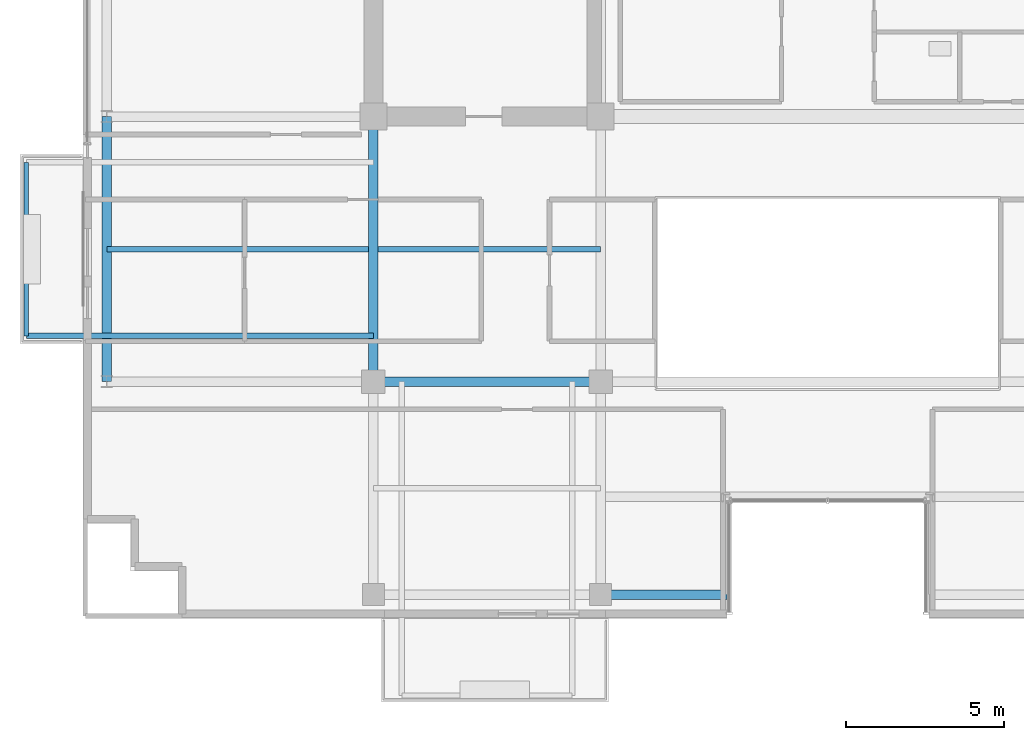
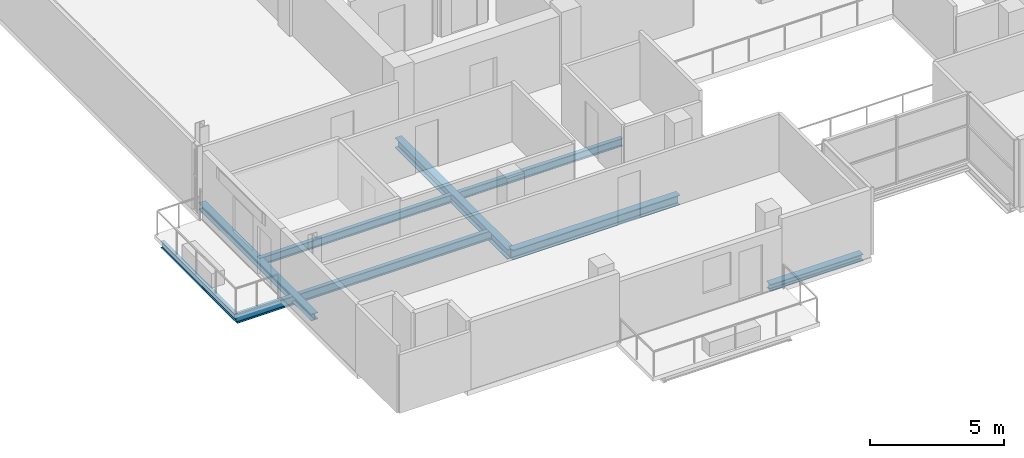
# One storey, part 2 of 22: 8 beams.
"""IFC4 building model written with IfcOpenShell, lengths in metres."""

from ifc_helpers import new_model, si_unit, direction, frame, origin, origin_2d, place, context, subcontext, project, spatial, i_section, extrude, material, material_profile, profile_set, type_object, element, save


model = new_model("IFC4")

# Units and contexts
model_context = context("Model", 3, precision=1e-05, world=origin(), true_north=direction((0.0, 1.0)))
body_context = subcontext(model_context, "Body", "Model", "MODEL_VIEW")
ifc_project = project(units=[si_unit("LENGTHUNIT", "METRE"), si_unit("AREAUNIT", "SQUARE_METRE"), si_unit("VOLUMEUNIT", "CUBIC_METRE"), si_unit("PLANEANGLEUNIT", "RADIAN"), si_unit("MASSUNIT", "GRAM", prefix="KILO")], contexts=[model_context])

# Site, building, storey
site_placement = place(None, origin())
site = spatial("IfcSite", under=ifc_project, at=site_placement, CompositionType="ELEMENT")
building_placement = place(site_placement, origin())
building = spatial("IfcBuilding", under=site, at=building_placement, Name="Zarnakvel Exchange Tower", CompositionType="ELEMENT")
storey_placement = place(building_placement, frame((0.0, 0.0, 215.5)))
storey = spatial("IfcBuildingStorey", under=building, at=storey_placement, Name="L60", CompositionType="ELEMENT", Elevation=215.5)

# Beams
ifc_material = material(Name="Steel S355", Category="steel")
ifc_material_profile_1 = material_profile(ifc_material, i_section(OverallWidth=0.179931640625, OverallDepth=0.39990234375, WebThickness=0.008544921875, FlangeThickness=0.013427734375, FilletRadius=0.02099609375, at=origin_2d()))
ifc_profile_set_1 = profile_set([ifc_material_profile_1], Name="Steel S355")
beam_type_1 = type_object("IfcBeamType", Name="B-06", PredefinedType="JOIST", material=ifc_profile_set_1)
beam_1_placement = place(storey_placement, frame((-14.39990234375, -8.14990234375, -0.425048828125), z_axis=(-1.0, 0.0, 0.0), x_axis=(0.0, -1.0, 0.0)))
element("IfcBeam", 1, at=beam_1_placement, inside=storey, type_object=beam_type_1, Name="L60 Continuous West Loggia Beam S", PredefinedType="JOIST", context=body_context, shape_type="SweptSolid", body=[
    extrude(i_section(OverallWidth=0.179931640625, OverallDepth=0.39990234375, WebThickness=0.008544921875, FlangeThickness=0.013427734375, FilletRadius=0.02099609375, at=origin_2d()), origin(), (0.0, 0.0, 1.0), 11.0),
])
ifc_material_profile_2 = material_profile(ifc_material, i_section(OverallWidth=0.169921875, OverallDepth=0.360107421875, WebThickness=0.008056640625, FlangeThickness=0.0126953125, FilletRadius=0.01806640625, at=origin_2d()))
ifc_profile_set_2 = profile_set([ifc_material_profile_2], Name="Steel S355")
beam_type_2 = type_object("IfcBeamType", Name="B-07", PredefinedType="JOIST", material=ifc_profile_set_2)
beam_2_placement = place(storey_placement, frame((-22.85009765625, -5.39990234375, -0.405029296875), z_axis=(1.0, 0.0, 0.0), x_axis=(0.0, 1.0, 0.0)))
element("IfcBeam", 2, at=beam_2_placement, inside=storey, type_object=beam_type_2, Name="L60 Composite Floor Secondary Joist", PredefinedType="JOIST", context=body_context, shape_type="SweptSolid", body=[
    extrude(i_section(OverallWidth=0.169921875, OverallDepth=0.360107421875, WebThickness=0.008056640625, FlangeThickness=0.0126953125, FilletRadius=0.01806640625, at=origin_2d()), origin(), (0.0, 0.0, 1.0), 8.300048828125),
])
beam_3_placement = place(storey_placement, frame((-14.25, -5.39990234375, -0.405029296875), z_axis=(1.0, 0.0, 0.0), x_axis=(0.0, 1.0, 0.0)))
element("IfcBeam", 3, at=beam_3_placement, inside=storey, type_object=beam_type_2, Name="L60 Composite Floor Secondary Joist", PredefinedType="JOIST", context=body_context, shape_type="SweptSolid", body=[
    extrude(i_section(OverallWidth=0.169921875, OverallDepth=0.360107421875, WebThickness=0.008056640625, FlangeThickness=0.0126953125, FilletRadius=0.01806640625, at=origin_2d()), origin(), (0.0, 0.0, 1.0), 7.050048828125),
])
ifc_material_profile_3 = material_profile(ifc_material, i_section(OverallWidth=0.14990234375, OverallDepth=0.300048828125, WebThickness=0.007080078125, FlangeThickness=0.0107421875, FilletRadius=0.014892578125, at=origin_2d()))
ifc_profile_set_3 = profile_set([ifc_material_profile_3], Name="Steel S355")
beam_type_3 = type_object("IfcBeamType", Name="B-08", PredefinedType="JOIST", material=ifc_profile_set_3)
beam_4_placement = place(storey_placement, frame((-25.39990234375, -8.14990234375, -0.375), z_axis=(0.0, 1.0, 0.0), x_axis=(-1.0, 0.0, 0.0)))
element("IfcBeam", 4, at=beam_4_placement, inside=storey, type_object=beam_type_3, Name="L60 West Loggia Edge Beam", PredefinedType="JOIST", context=body_context, shape_type="SweptSolid", body=[
    extrude(i_section(OverallWidth=0.14990234375, OverallDepth=0.300048828125, WebThickness=0.007080078125, FlangeThickness=0.0107421875, FilletRadius=0.014892578125, at=origin_2d()), origin(), (0.0, 0.0, 1.0), 5.5),
])
ifc_material_profile_4 = material_profile(ifc_material, i_section(OverallWidth=0.300048828125, OverallDepth=0.449951171875, WebThickness=0.013916015625, FlangeThickness=0.02587890625, FilletRadius=0.027099609375, at=origin_2d()))
ifc_profile_set_4 = profile_set([ifc_material_profile_4], Name="Steel S355")
beam_type_4 = type_object("IfcBeamType", Name="G-07", PredefinedType="BEAM", material=ifc_profile_set_4)
beam_5_placement = place(storey_placement, frame((-14.39990234375, -9.60009765625, -0.449951171875), z_axis=(1.0, 0.0, 0.0), x_axis=(0.0, 1.0, 0.0)))
element("IfcBeam", 5, at=beam_5_placement, inside=storey, type_object=beam_type_4, Name="L60 Tower E-W Frame Beam", PredefinedType="BEAM", context=body_context, shape_type="SweptSolid", body=[
    extrude(i_section(OverallWidth=0.300048828125, OverallDepth=0.449951171875, WebThickness=0.013916015625, FlangeThickness=0.02587890625, FilletRadius=0.027099609375, at=origin_2d()), origin(), (0.0, 0.0, 1.0), 7.199951171875),
])
beam_6_placement = place(storey_placement, frame((-14.39990234375, -9.60009765625, -0.449951171875), z_axis=(0.0, 1.0, 0.0), x_axis=(-1.0, 0.0, 0.0)))
element("IfcBeam", 6, at=beam_6_placement, inside=storey, type_object=beam_type_4, Name="L60 Tower N-S Frame Beam", PredefinedType="BEAM", context=body_context, shape_type="SweptSolid", body=[
    extrude(i_section(OverallWidth=0.300048828125, OverallDepth=0.449951171875, WebThickness=0.013916015625, FlangeThickness=0.02587890625, FilletRadius=0.027099609375, at=origin_2d()), origin(), (0.0, 0.0, 1.0), 8.400146484375),
])
ifc_material_profile_5 = material_profile(ifc_material, i_section(OverallWidth=0.300048828125, OverallDepth=0.300048828125, WebThickness=0.010986328125, FlangeThickness=0.01904296875, FilletRadius=0.027099609375, at=origin_2d()))
ifc_profile_set_5 = profile_set([ifc_material_profile_5], Name="Steel S355")
beam_type_5 = type_object("IfcBeamType", Name="SP-03", PredefinedType="SPANDREL", material=ifc_profile_set_5)
beam_7_placement = place(storey_placement, frame((-7.199951171875, -16.35009765625, -0.375), z_axis=(1.0, 0.0, 0.0), x_axis=(0.0, 1.0, 0.0)))
element("IfcBeam", 7, at=beam_7_placement, inside=storey, type_object=beam_type_5, Name="L60 South Slot West Jamb Spandrel", PredefinedType="SPANDREL", context=body_context, shape_type="SweptSolid", body=[
    extrude(i_section(OverallWidth=0.300048828125, OverallDepth=0.300048828125, WebThickness=0.010986328125, FlangeThickness=0.01904296875, FilletRadius=0.027099609375, at=origin_2d()), origin(), (0.0, 0.0, 1.0), 4.0),
])
beam_8_placement = place(storey_placement, frame((-22.85009765625, -9.60009765625, -0.375), z_axis=(0.0, 1.0, 0.0), x_axis=(-1.0, 0.0, 0.0)))
element("IfcBeam", 8, at=beam_8_placement, inside=storey, type_object=beam_type_5, Name="L60 Tower N-S Frame Beam", PredefinedType="SPANDREL", context=body_context, shape_type="SweptSolid", body=[
    extrude(i_section(OverallWidth=0.300048828125, OverallDepth=0.300048828125, WebThickness=0.010986328125, FlangeThickness=0.01904296875, FilletRadius=0.027099609375, at=origin_2d()), origin(), (0.0, 0.0, 1.0), 8.400146484375),
])

save(model, "model.ifc")
